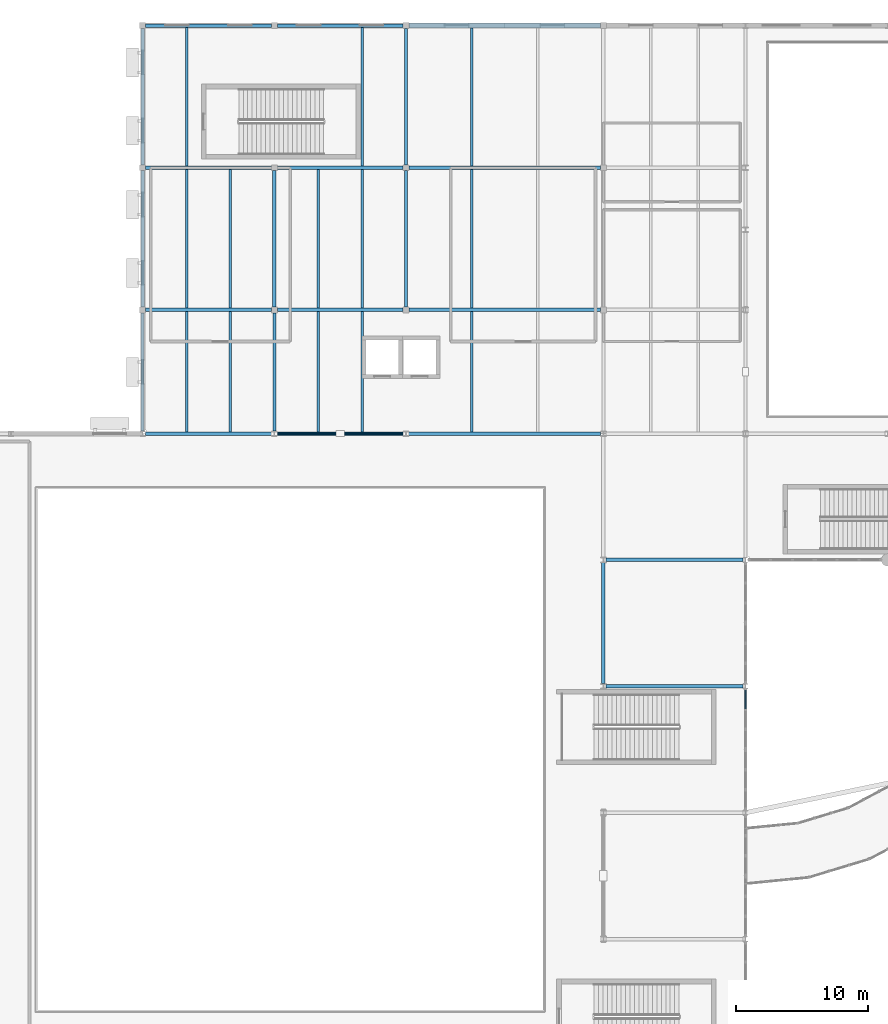
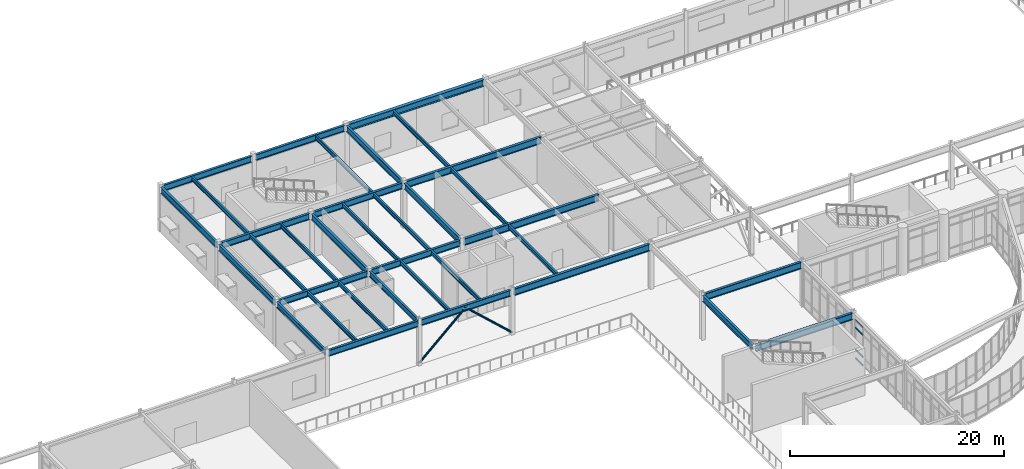
# One storey, part 23 of 72: 35 beams, 6 members, 1 element without a shape of its own.
"""IFC4 building model written with IfcOpenShell, lengths in metres."""

import ifcopenshell
import ifcopenshell.guid

model = None  # the IFC model being written
_history = None  # IfcOwnerHistory: only IFC2X3 demands one
_inside = {}  # id of a spatial element -> (the spatial element, [elements in it])
_under = {}  # id of a project, library or spatial element -> (it, [spatial elements below it])
_declared = {}  # id of a project -> (the project, [libraries it declares])
_typed = {}  # id of a type object -> (the type object, [elements of that type])
_made_of = {}  # id of a material, layer set ... -> (it, [elements and type objects made of it])


def new_model(schema):
    """Start an empty IFC model of exactly this schema.

    Asked for "IFC4X3", IfcOpenShell would pick the latest addendum, in which some entities
    have other attributes; the version numbers below select the first issue.
    IFC2X3 requires an IfcOwnerHistory on every rooted entity: one is made here for all.
    """
    global model, _history
    if schema == "IFC4X3":
        model = ifcopenshell.file(schema_version=(4, 3, 0, 0))
    else:
        model = ifcopenshell.file(schema=schema)
    _inside.clear()
    _under.clear()
    _declared.clear()
    _typed.clear()
    _made_of.clear()
    _history = None
    if model.schema == "IFC2X3":
        org = make("IfcOrganization", Name="unknown")
        user = make(
            "IfcPersonAndOrganization",
            ThePerson=make("IfcPerson", FamilyName="unknown"),
            TheOrganization=org,
        )
        app = make(
            "IfcApplication",
            ApplicationDeveloper=org,
            Version="unknown",
            ApplicationFullName="unknown",
            ApplicationIdentifier="unknown",
        )
        _history = make(
            "IfcOwnerHistory",
            OwningUser=user,
            OwningApplication=app,
            ChangeAction="ADDED",
            CreationDate=0,
        )
    return model


def make(cls, **values):
    """One entity of the class cls with the attributes given. An attribute that is None is left unset."""
    return model.create_entity(
        cls, **{name: value for name, value in values.items() if value is not None}
    )


def rooted(cls, **values):
    """An entity with a GlobalId (a new one), such as an element, a storey or a relation."""
    return make(cls, GlobalId=ifcopenshell.guid.new(), OwnerHistory=_history, **values)


def si_unit(unit_type, name, prefix=None):
    """IfcSIUnit, for example si_unit("LENGTHUNIT", "METRE", prefix="MILLI")."""
    return make("IfcSIUnit", UnitType=unit_type, Prefix=prefix, Name=name)


def assignment(units):
    """IfcUnitAssignment: the units of a project."""
    return None if units is None else make("IfcUnitAssignment", Units=units)


def point(xyz):
    """IfcCartesianPoint."""
    return None if xyz is None else make("IfcCartesianPoint", Coordinates=xyz)


def direction(xyz):
    """IfcDirection."""
    return None if xyz is None else make("IfcDirection", DirectionRatios=xyz)


def frame(location, z_axis=None, x_axis=None):
    """IfcAxis2Placement3D, a coordinate frame: its origin and axes. An axis left out is left unset."""
    return make(
        "IfcAxis2Placement3D",
        Location=point(location),
        Axis=direction(z_axis),
        RefDirection=direction(x_axis),
    )


def frame_2d(location, x_axis=None):
    """IfcAxis2Placement2D, a coordinate frame in the plane: its origin and x axis."""
    return make(
        "IfcAxis2Placement2D", Location=point(location), RefDirection=direction(x_axis)
    )


def origin():
    """The frame at (0, 0, 0) with its axes left unset."""
    return frame((0.0, 0.0, 0.0))


def origin_2d():
    """The frame at (0, 0) in the plane with its x axis left unset."""
    return frame_2d((0.0, 0.0))


def place(relative_to, where):
    """IfcLocalPlacement: puts the frame where relative to a parent placement (None: the world)."""
    return make(
        "IfcLocalPlacement", PlacementRelTo=relative_to, RelativePlacement=where
    )


def context(
    kind, dimensions, precision=None, world=None, true_north=None, identifier=None
):
    """IfcGeometricRepresentationContext, for example the 3D "Model" context."""
    return make(
        "IfcGeometricRepresentationContext",
        ContextIdentifier=identifier,
        ContextType=kind,
        CoordinateSpaceDimension=dimensions,
        Precision=precision,
        WorldCoordinateSystem=world,
        TrueNorth=true_north,
    )


def subcontext(parent, identifier, kind, view, scale=None):
    """IfcGeometricRepresentationSubContext, for example "Body" below "Model"."""
    return make(
        "IfcGeometricRepresentationSubContext",
        ContextIdentifier=identifier,
        ContextType=kind,
        ParentContext=parent,
        TargetScale=scale,
        TargetView=view,
    )


def project(units=None, contexts=None):
    """IfcProject with its units and contexts."""
    return rooted(
        "IfcProject",
        Name="project",
        RepresentationContexts=contexts,
        UnitsInContext=assignment(units),
    )


def spatial(cls, under=None, at=None, **own):
    """A site, building, storey or space (cls), placed at a placement, below another one or the project."""
    s = rooted(cls, ObjectPlacement=at, **own)
    if under is not None:
        _under.setdefault(under.id(), (under, []))[1].append(s)
    return s


def profile(cls, at=None, kind="AREA", **sizes):
    """A parametric profile (cls). Its sizes go by their IFC names, for example OverallWidth=200.0."""
    return make(cls, ProfileType=kind, Position=at, **sizes)


def rectangle(**sizes):
    """IfcRectangleProfileDef."""
    return profile("IfcRectangleProfileDef", **sizes)


def hollow_circle(**sizes):
    """IfcCircleHollowProfileDef."""
    return profile("IfcCircleHollowProfileDef", **sizes)


def i_section(**sizes):
    """IfcIShapeProfileDef."""
    return profile("IfcIShapeProfileDef", **sizes)


def extrude(swept, where, along, depth):
    """IfcExtrudedAreaSolid: the profile swept, set in the frame where, extruded along a direction by depth."""
    return make(
        "IfcExtrudedAreaSolid",
        SweptArea=swept,
        Position=where,
        ExtrudedDirection=direction(along),
        Depth=depth,
    )


def shape(context_of_items, identifier, shape_type, items):
    """IfcShapeRepresentation: the items that make up one representation, for example the "Body"."""
    return make(
        "IfcShapeRepresentation",
        ContextOfItems=context_of_items,
        RepresentationIdentifier=identifier,
        RepresentationType=shape_type,
        Items=items,
    )


def material(Name=None, Category=None):
    """IfcMaterial."""
    return make("IfcMaterial", Name=Name, Category=Category)


def material_profile(
    of_material, cross_section, Name=None, Category=None, Priority=None
):
    """IfcMaterialProfile: a cross section and its material."""
    return make(
        "IfcMaterialProfile",
        Name=Name,
        Material=of_material,
        Profile=cross_section,
        Priority=Priority,
        Category=Category,
    )


def profile_set(profiles, Name=None, composite=None):
    """IfcMaterialProfileSet."""
    return make(
        "IfcMaterialProfileSet",
        Name=Name,
        MaterialProfiles=profiles,
        CompositeProfile=composite,
    )


def made_of(thing, what):
    """Note that an element or type object is made of a material, layer set ...; save() writes the relation."""
    if what is not None:
        _made_of.setdefault(what.id(), (what, []))[1].append(thing)
    return thing


def type_object(cls, material=None, **own):
    """A type object (cls), such as IfcWallType, which elements share."""
    return made_of(rooted(cls, **own), material)


def element(
    cls,
    number,
    at=None,
    inside=None,
    cuts=None,
    type_object=None,
    material=None,
    context=None,
    identifier="Body",
    shape_type=None,
    held_by="IfcProductDefinitionShape",
    body=None,
    shapes=None,
    **own,
):
    """One element of the class cls, such as IfcWall. Its Tag is "e" and its number.

    at: its placement. inside: the storey or other place that contains it. cuts: it is an
    opening in that element (IfcRelVoidsElement). A single representation is given by context,
    identifier, shape_type and body (its items); several are given by shapes. held_by: the class
    of the entity that holds the representations. save() writes the other relations.
    """
    e = rooted(cls, Tag="e%d" % number, ObjectPlacement=at, **own)
    if body is not None:
        shapes = [shape(context, identifier, shape_type, body)]
    if shapes is not None:
        e.Representation = make(held_by, Representations=shapes)
    if inside is not None:
        _inside.setdefault(inside.id(), (inside, []))[1].append(e)
    if cuts is not None:
        rooted(
            "IfcRelVoidsElement", RelatingBuildingElement=cuts, RelatedOpeningElement=e
        )
    if type_object is not None:
        _typed.setdefault(type_object.id(), (type_object, []))[1].append(e)
    return made_of(e, material)


def aggregate(whole, parts):
    """IfcRelAggregates: a whole, such as a stair, and the parts it consists of."""
    return rooted("IfcRelAggregates", RelatingObject=whole, RelatedObjects=parts)


def save(model, path):
    """Write the relations noted so far, then the file.

    IfcRelAggregates (storeys below a building ...), IfcRelContainedInSpatialStructure (elements
    in a storey), IfcRelDefinesByType, IfcRelAssociatesMaterial and IfcRelDeclares: one each for
    every whole, place, type object, material and project.
    """
    for whole, parts in _under.values():
        aggregate(whole, parts)
    for where, things in _inside.values():
        rooted(
            "IfcRelContainedInSpatialStructure",
            RelatedElements=things,
            RelatingStructure=where,
        )
    for kind, things in _typed.values():
        rooted("IfcRelDefinesByType", RelatedObjects=things, RelatingType=kind)
    for what, things in _made_of.values():
        rooted("IfcRelAssociatesMaterial", RelatedObjects=things, RelatingMaterial=what)
    for by, libraries in _declared.values():
        rooted("IfcRelDeclares", RelatingContext=by, RelatedDefinitions=libraries)
    model.write(path)


model = new_model("IFC4")

# Units and contexts
model_context = context("Model", 3, precision=1e-05, world=origin(), true_north=direction((0.0, 1.0)))
body_context = subcontext(model_context, "Body", "Model", "MODEL_VIEW")
ifc_project = project(units=[si_unit("LENGTHUNIT", "METRE"), si_unit("AREAUNIT", "SQUARE_METRE"), si_unit("VOLUMEUNIT", "CUBIC_METRE"), si_unit("PLANEANGLEUNIT", "RADIAN"), si_unit("MASSUNIT", "GRAM", prefix="KILO")], contexts=[model_context])

# Site, building, storey
site_placement = place(None, origin())
site = spatial("IfcSite", under=ifc_project, at=site_placement, CompositionType="ELEMENT")
building_placement = place(site_placement, origin())
building = spatial("IfcBuilding", under=site, at=building_placement, Name="Veldera Park Congress Hotel", CompositionType="ELEMENT")
storey_placement = place(building_placement, frame((0.0, 0.0, 5.39990234375)))
storey = spatial("IfcBuildingStorey", under=building, at=storey_placement, Name="L01", CompositionType="ELEMENT", Elevation=5.39990234375)

# Beams
ifc_material_1 = material(Name="Steel ASTM A992 Gr.50", Category="steel")
ifc_material_profile_1 = material_profile(ifc_material_1, i_section(OverallWidth=0.22998046875, OverallDepth=0.616943359375, WebThickness=0.01318359375, FlangeThickness=0.022216796875, at=origin_2d()), Name="W24X94")
ifc_profile_set_1 = profile_set([ifc_material_profile_1], Name="Steel ASTM A992 Gr.50")
beam_type_1 = type_object("IfcBeamType", Name="BM-W24B", PredefinedType="BEAM", material=ifc_profile_set_1)
for number, where, z_axis, x_axis, name in (
    (1, (-47.39990234375, 27.1904296875, 4.821533203125), (0.0, 1.0, 0.0), (-1.0, 0.0, 0.0), "L01 Girder BM-W24B 684"),
    (2, (-37.39990234375, 27.1904296875, 4.821533203125), (0.0, 1.0, 0.0), (-1.0, 0.0, 0.0), "L01 Girder BM-W24B 690"),
):
    element("IfcBeam", number, at=place(storey_placement, frame(where, z_axis=z_axis, x_axis=x_axis)), inside=storey, type_object=beam_type_1, Name=name, PredefinedType="BEAM", context=body_context, shape_type="SweptSolid", body=[
        extrude(i_section(OverallWidth=0.22998046875, OverallDepth=0.616943359375, WebThickness=0.01318359375, FlangeThickness=0.022216796875, at=origin_2d()), origin(), (0.0, 0.0, 1.0), 8.984619140625),
    ])
ifc_material_profile_2 = material_profile(ifc_material_1, i_section(OverallWidth=0.256103515625, OverallDepth=0.693115234375, WebThickness=0.014404296875, FlangeThickness=0.023681640625, at=origin_2d()), Name="W27X114")
ifc_profile_set_2 = profile_set([ifc_material_profile_2], Name="Steel ASTM A992 Gr.50")
beam_type_2 = type_object("IfcBeamType", Name="BM-W27", PredefinedType="BEAM", material=ifc_profile_set_2)
beam_1_placement = place(storey_placement, frame((-47.39990234375, 36.625, 4.78369140625), z_axis=(0.0, 1.0, 0.0), x_axis=(-1.0, 0.0, 0.0)))
element("IfcBeam", 3, at=beam_1_placement, inside=storey, type_object=beam_type_2, Name="L01 Girder BM-W27 685", PredefinedType="BEAM", context=body_context, shape_type="SweptSolid", body=[
    extrude(i_section(OverallWidth=0.256103515625, OverallDepth=0.693115234375, WebThickness=0.014404296875, FlangeThickness=0.023681640625, at=origin_2d()), origin(), (0.0, 0.0, 1.0), 10.35009765625),
])
beam_2_placement = place(storey_placement, frame((-47.39990234375, 47.425048828125, 4.78369140625), z_axis=(0.0, 1.0, 0.0), x_axis=(-1.0, 0.0, 0.0)))
element("IfcBeam", 4, at=beam_2_placement, inside=storey, type_object=beam_type_2, Name="L01 Girder BM-W27 686", PredefinedType="BEAM", context=body_context, shape_type="SweptSolid", body=[
    extrude(i_section(OverallWidth=0.256103515625, OverallDepth=0.693115234375, WebThickness=0.014404296875, FlangeThickness=0.023681640625, at=origin_2d()), origin(), (0.0, 0.0, 1.0), 10.349853515625),
])
for number, where, z_axis, x_axis, name in (
    (5, (-37.39990234375, 36.625, 4.78369140625), (0.0, 1.0, 0.0), (-1.0, 0.0, 0.0), "L01 Girder BM-W27 691"),
    (6, (-27.39990234375, 36.625, 4.78369140625), (0.0, 1.0, 0.0), (-1.0, 0.0, 0.0), "L01 Girder BM-W27 692"),
):
    element("IfcBeam", number, at=place(storey_placement, frame(where, z_axis=z_axis, x_axis=x_axis)), inside=storey, type_object=beam_type_2, Name=name, PredefinedType="BEAM", context=body_context, shape_type="SweptSolid", body=[
        extrude(i_section(OverallWidth=0.256103515625, OverallDepth=0.693115234375, WebThickness=0.014404296875, FlangeThickness=0.023681640625, at=origin_2d()), origin(), (0.0, 0.0, 1.0), 10.35009765625),
    ])
beam_3_placement = place(storey_placement, frame((-27.39990234375, 47.425048828125, 4.78369140625), z_axis=(0.0, 1.0, 0.0), x_axis=(-1.0, 0.0, 0.0)))
element("IfcBeam", 7, at=beam_3_placement, inside=storey, type_object=beam_type_2, Name="L01 Girder BM-W27 693", PredefinedType="BEAM", context=body_context, shape_type="SweptSolid", body=[
    extrude(i_section(OverallWidth=0.256103515625, OverallDepth=0.693115234375, WebThickness=0.014404296875, FlangeThickness=0.023681640625, at=origin_2d()), origin(), (0.0, 0.0, 1.0), 10.349853515625),
])
beam_4_placement = place(storey_placement, frame((-12.39990234375, 7.99951171875, 4.78369140625), z_axis=(0.0, 1.0, 0.0), x_axis=(-1.0, 0.0, 0.0)))
element("IfcBeam", 8, at=beam_4_placement, inside=storey, type_object=beam_type_2, Name="L01 Girder BM-W27 695", PredefinedType="BEAM", context=body_context, shape_type="SweptSolid", body=[
    extrude(i_section(OverallWidth=0.256103515625, OverallDepth=0.693115234375, WebThickness=0.014404296875, FlangeThickness=0.023681640625, at=origin_2d()), origin(), (0.0, 0.0, 1.0), 9.200927734375),
])
ifc_material_profile_3 = material_profile(ifc_material_1, i_section(OverallWidth=0.25390625, OverallDepth=0.700927734375, WebThickness=0.015380859375, FlangeThickness=0.02783203125, at=origin_2d()), Name="W27X129")
ifc_profile_set_3 = profile_set([ifc_material_profile_3], Name="Steel ASTM A992 Gr.50")
beam_type_3 = type_object("IfcBeamType", Name="BM-W27B", PredefinedType="BEAM", material=ifc_profile_set_3)
for number, where, z_axis, x_axis, name in (
    (9, (-47.201904296875, 27.0, 4.779541015625), (1.0, 0.0, 0.0), (0.0, 1.0, 0.0), "L01 Girder BM-W27B 613"),
    (10, (-37.201904296875, 27.0, 4.779541015625), (1.0, 0.0, 0.0), (0.0, 1.0, 0.0), "L01 Girder BM-W27B 614"),
):
    element("IfcBeam", number, at=place(storey_placement, frame(where, z_axis=z_axis, x_axis=x_axis)), inside=storey, type_object=beam_type_3, Name=name, PredefinedType="BEAM", context=body_context, shape_type="SweptSolid", body=[
        extrude(i_section(OverallWidth=0.25390625, OverallDepth=0.700927734375, WebThickness=0.015380859375, FlangeThickness=0.02783203125, at=origin_2d()), origin(), (0.0, 0.0, 1.0), 9.60400390625),
    ])
for number, where, z_axis, x_axis, name in (
    (11, (-47.175048828125, 36.39990234375, 4.779541015625), (1.0, 0.0, 0.0), (0.0, 1.0, 0.0), "L01 Girder BM-W27B 627"),
    (12, (-37.175048828125, 36.39990234375, 4.779541015625), (1.0, 0.0, 0.0), (0.0, 1.0, 0.0), "L01 Girder BM-W27B 628"),
    (13, (-47.175048828125, 47.199951171875, 4.779541015625), (1.0, 0.0, 0.0), (0.0, 1.0, 0.0), "L01 Girder BM-W27B 637"),
    (14, (-37.175048828125, 47.199951171875, 4.779541015625), (1.0, 0.0, 0.0), (0.0, 1.0, 0.0), "L01 Girder BM-W27B 638"),
):
    element("IfcBeam", number, at=place(storey_placement, frame(where, z_axis=z_axis, x_axis=x_axis)), inside=storey, type_object=beam_type_3, Name=name, PredefinedType="BEAM", context=body_context, shape_type="SweptSolid", body=[
        extrude(i_section(OverallWidth=0.25390625, OverallDepth=0.700927734375, WebThickness=0.015380859375, FlangeThickness=0.02783203125, at=origin_2d()), origin(), (0.0, 0.0, 1.0), 9.550048828125),
    ])
ifc_material_profile_4 = material_profile(ifc_material_1, i_section(OverallWidth=0.25390625, OverallDepth=0.700927734375, WebThickness=0.015380859375, FlangeThickness=0.02783203125, at=origin_2d()), Name="W27X129")
ifc_profile_set_4 = profile_set([ifc_material_profile_4], Name="Steel ASTM A992 Gr.50")
beam_type_4 = type_object("IfcBeamType", Name="BM-W27BE", PredefinedType="BEAM", material=ifc_profile_set_4)
for number, where, z_axis, x_axis, name in (
    (15, (-47.175048828125, 58.0, 4.779541015625), (1.0, 0.0, 0.0), (0.0, 1.0, 0.0), "L01 Girder BM-W27BE 645"),
    (16, (-37.175048828125, 58.0, 4.779541015625), (1.0, 0.0, 0.0), (0.0, 1.0, 0.0), "L01 Girder BM-W27BE 646"),
):
    element("IfcBeam", number, at=place(storey_placement, frame(where, z_axis=z_axis, x_axis=x_axis)), inside=storey, type_object=beam_type_4, Name=name, PredefinedType="BEAM", context=body_context, shape_type="SweptSolid", body=[
        extrude(i_section(OverallWidth=0.25390625, OverallDepth=0.700927734375, WebThickness=0.015380859375, FlangeThickness=0.02783203125, at=origin_2d()), origin(), (0.0, 0.0, 1.0), 9.550048828125),
    ])
ifc_material_profile_5 = material_profile(ifc_material_1, i_section(OverallWidth=0.26708984375, OverallDepth=0.779052734375, WebThickness=0.0166015625, FlangeThickness=0.030029296875, at=origin_2d()), Name="W30X148")
ifc_profile_set_5 = profile_set([ifc_material_profile_5], Name="Steel ASTM A992 Gr.50")
beam_type_5 = type_object("IfcBeamType", Name="BM-W30", PredefinedType="BEAM", material=ifc_profile_set_5)
for number, where, z_axis, x_axis, name in (
    (17, (-12.199462890625, 7.800048828125, 4.740478515625), (1.0, 0.0, 0.0), (0.0, 1.0, 0.0), "L01 Girder BM-W30 592"),
    (18, (-12.199462890625, 17.39990234375, 4.740478515625), (1.0, 0.0, 0.0), (0.0, 1.0, 0.0), "L01 Girder BM-W30 598"),
):
    element("IfcBeam", number, at=place(storey_placement, frame(where, z_axis=z_axis, x_axis=x_axis)), inside=storey, type_object=beam_type_5, Name=name, PredefinedType="BEAM", context=body_context, shape_type="SweptSolid", body=[
        extrude(i_section(OverallWidth=0.26708984375, OverallDepth=0.779052734375, WebThickness=0.0166015625, FlangeThickness=0.030029296875, at=origin_2d()), origin(), (0.0, 0.0, 1.0), 10.412353515625),
    ])
beam_5_placement = place(storey_placement, frame((-27.201904296875, 27.0, 4.740478515625), z_axis=(1.0, 0.0, 0.0), x_axis=(0.0, 1.0, 0.0)))
element("IfcBeam", 19, at=beam_5_placement, inside=storey, type_object=beam_type_5, Name="L01 Girder BM-W30 615", PredefinedType="BEAM", context=body_context, shape_type="SweptSolid", body=[
    extrude(i_section(OverallWidth=0.26708984375, OverallDepth=0.779052734375, WebThickness=0.0166015625, FlangeThickness=0.030029296875, at=origin_2d()), origin(), (0.0, 0.0, 1.0), 14.601318359375),
])
for number, where, z_axis, x_axis, name in (
    (20, (-27.175048828125, 36.39990234375, 4.740478515625), (1.0, 0.0, 0.0), (0.0, 1.0, 0.0), "L01 Girder BM-W30 629"),
    (21, (-27.175048828125, 47.199951171875, 4.740478515625), (1.0, 0.0, 0.0), (0.0, 1.0, 0.0), "L01 Girder BM-W30 639"),
):
    element("IfcBeam", number, at=place(storey_placement, frame(where, z_axis=z_axis, x_axis=x_axis)), inside=storey, type_object=beam_type_5, Name=name, PredefinedType="BEAM", context=body_context, shape_type="SweptSolid", body=[
        extrude(i_section(OverallWidth=0.26708984375, OverallDepth=0.779052734375, WebThickness=0.0166015625, FlangeThickness=0.030029296875, at=origin_2d()), origin(), (0.0, 0.0, 1.0), 14.550048828125),
    ])
ifc_material_profile_6 = material_profile(ifc_material_1, i_section(OverallWidth=0.382080078125, OverallDepth=0.779052734375, WebThickness=0.01806640625, FlangeThickness=0.030029296875, at=origin_2d()), Name="W30X191")
ifc_profile_set_6 = profile_set([ifc_material_profile_6], Name="Steel ASTM A992 Gr.50")
beam_type_6 = type_object("IfcBeamType", Name="BM-W30E", PredefinedType="BEAM", material=ifc_profile_set_6)
beam_6_placement = place(storey_placement, frame((-27.175048828125, 58.0, 4.740478515625), z_axis=(1.0, 0.0, 0.0), x_axis=(0.0, 1.0, 0.0)))
element("IfcBeam", 22, at=beam_6_placement, inside=storey, type_object=beam_type_6, Name="L01 Girder BM-W30E 647", PredefinedType="BEAM", context=body_context, shape_type="SweptSolid", body=[
    extrude(i_section(OverallWidth=0.382080078125, OverallDepth=0.779052734375, WebThickness=0.01806640625, FlangeThickness=0.030029296875, at=origin_2d()), origin(), (0.0, 0.0, 1.0), 14.550048828125),
])

# Members
ifc_material_2 = material(Name="Steel ASTM A500 Gr.C", Category="steel")
ifc_material_profile_7 = material_profile(ifc_material_2, hollow_circle(Radius=0.109619140625, WallThickness=0.010009765625, at=origin_2d()), Name="CHS 219.1x10")
ifc_profile_set_7 = profile_set([ifc_material_profile_7], Name="Steel ASTM A500 Gr.C")
member_type_1 = type_object("IfcMemberType", Name="BRC-CHS219", PredefinedType="BRACE", material=ifc_profile_set_7)
for number, where, z_axis, x_axis, name in (
    (23, (-37.39990234375, 27.0, 0.2001953125), (0.737447027842, 0.0, 0.675404975646), (0.0, 1.0, 0.0), "L01 Chevron Brace 12A"),
    (24, (-27.39990234375, 27.0, 0.2001953125), (-0.737447027842, 0.0, 0.675404975646), (0.0, -1.0, 0.0), "L01 Chevron Brace 12B"),
):
    element("IfcMember", number, at=place(storey_placement, frame(where, z_axis=z_axis, x_axis=x_axis)), inside=storey, type_object=member_type_1, Name=name, PredefinedType="BRACE", context=body_context, shape_type="SweptSolid", body=[
        extrude(hollow_circle(Radius=0.109619140625, WallThickness=0.010009765625, at=origin_2d()), origin(), (0.0, 0.0, 1.0), 6.780029296875),
    ])

# Curtain wall, members
ifc_material_3 = material(Name="Low-E Triple Insulating Glass Unit (SHGC 0.22)", Category="glass")
curtain_wall_type = type_object("IfcCurtainWallType", Name="CW-POD", PredefinedType="NOTDEFINED", material=ifc_material_3)
curtain_wall_placement = place(storey_placement, origin())
curtain_wall = element("IfcCurtainWall", 25, at=curtain_wall_placement, inside=storey, type_object=curtain_wall_type, Name="L01 Curtain Wall CW3-V1E-L01-026", PredefinedType="NOTDEFINED")
ifc_material_4 = material(Name="Anodised Aluminium Alloy 6063-T6", Category="aluminium")
ifc_material_profile_8 = material_profile(ifc_material_4, rectangle(XDim=0.080078125, YDim=0.179931640625, at=origin_2d()), Name="ALU 80x180")
ifc_profile_set_8 = profile_set([ifc_material_profile_8], Name="Anodised Aluminium Alloy 6063-T6")
member_type_2 = type_object("IfcMemberType", Name="CWT-180", PredefinedType="USERDEFINED", material=ifc_profile_set_8)
member_1_placement = place(storey_placement, frame((-1.60009765625, 6.09423828125, 0.0400390625), z_axis=(0.0, 1.0, 0.0), x_axis=(-1.0, 0.0, 0.0)))
member_1 = element("IfcMember", 26, at=member_1_placement, type_object=member_type_2, Name="CW-POD transom 3.1", ObjectType="TRANSOM", PredefinedType="USERDEFINED", context=body_context, shape_type="SweptSolid", body=[
    extrude(rectangle(XDim=0.080078125, YDim=0.179931640625, at=origin_2d()), origin(), (0.0, 0.0, 1.0), 1.399658203125),
])
member_2_placement = place(storey_placement, frame((-1.60009765625, 6.09423828125, 1.0), z_axis=(0.0, 1.0, 0.0), x_axis=(-1.0, 0.0, 0.0)))
member_2 = element("IfcMember", 27, at=member_2_placement, type_object=member_type_2, Name="CW-POD transom 3.2", ObjectType="TRANSOM", PredefinedType="USERDEFINED", context=body_context, shape_type="SweptSolid", body=[
    extrude(rectangle(XDim=0.080078125, YDim=0.179931640625, at=origin_2d()), origin(), (0.0, 0.0, 1.0), 1.399658203125),
])
member_3_placement = place(storey_placement, frame((-1.60009765625, 6.09423828125, 3.531982421875), z_axis=(0.0, 1.0, 0.0), x_axis=(-1.0, 0.0, 0.0)))
member_3 = element("IfcMember", 28, at=member_3_placement, type_object=member_type_2, Name="CW-POD transom 3.3", ObjectType="TRANSOM", PredefinedType="USERDEFINED", context=body_context, shape_type="SweptSolid", body=[
    extrude(rectangle(XDim=0.080078125, YDim=0.179931640625, at=origin_2d()), origin(), (0.0, 0.0, 1.0), 1.399658203125),
])
member_4_placement = place(storey_placement, frame((-1.60009765625, 6.09423828125, 4.39208984375), z_axis=(0.0, 1.0, 0.0), x_axis=(-1.0, 0.0, 0.0)))
member_4 = element("IfcMember", 29, at=member_4_placement, type_object=member_type_2, Name="CW-POD transom 3.4", ObjectType="TRANSOM", PredefinedType="USERDEFINED", context=body_context, shape_type="SweptSolid", body=[
    extrude(rectangle(XDim=0.080078125, YDim=0.179931640625, at=origin_2d()), origin(), (0.0, 0.0, 1.0), 1.399658203125),
])
aggregate(curtain_wall, [member_1, member_2, member_3, member_4])

# Beams
ifc_material_profile_9 = material_profile(ifc_material_1, i_section(OverallWidth=0.19189453125, OverallDepth=0.462890625, WebThickness=0.010498046875, FlangeThickness=0.017578125, at=origin_2d()), Name="W18X60")
ifc_profile_set_9 = profile_set([ifc_material_profile_9], Name="Steel ASTM A992 Gr.50")
beam_type_7 = type_object("IfcBeamType", Name="JST-W18C", PredefinedType="JOIST", material=ifc_profile_set_9)
for number, where, z_axis, x_axis, name in (
    (30, (-44.066650390625, 27.126953125, 4.898681640625), (0.0, 1.0, 0.0), (-1.0, 0.0, 0.0), "L01 Floor Joist JST-W18C 781"),
    (31, (-40.7333984375, 27.126953125, 4.898681640625), (0.0, 1.0, 0.0), (-1.0, 0.0, 0.0), "L01 Floor Joist JST-W18C 782"),
    (32, (-34.066650390625, 27.126953125, 4.898681640625), (0.0, 1.0, 0.0), (-1.0, 0.0, 0.0), "L01 Floor Joist JST-W18C 783"),
    (33, (-30.7333984375, 27.126953125, 4.898681640625), (0.0, 1.0, 0.0), (-1.0, 0.0, 0.0), "L01 Floor Joist JST-W18C 784"),
):
    element("IfcBeam", number, at=place(storey_placement, frame(where, z_axis=z_axis, x_axis=x_axis)), inside=storey, type_object=beam_type_7, Name=name, PredefinedType="JOIST", context=body_context, shape_type="SweptSolid", body=[
        extrude(i_section(OverallWidth=0.19189453125, OverallDepth=0.462890625, WebThickness=0.010498046875, FlangeThickness=0.017578125, at=origin_2d()), origin(), (0.0, 0.0, 1.0), 9.14599609375),
    ])
beam_7_placement = place(storey_placement, frame((-22.39990234375, 27.133544921875, 4.898681640625), z_axis=(0.0, 1.0, 0.0), x_axis=(-1.0, 0.0, 0.0)))
element("IfcBeam", 34, at=beam_7_placement, inside=storey, type_object=beam_type_7, Name="L01 Floor Joist JST-W18C 785", PredefinedType="JOIST", context=body_context, shape_type="SweptSolid", body=[
    extrude(i_section(OverallWidth=0.19189453125, OverallDepth=0.462890625, WebThickness=0.010498046875, FlangeThickness=0.017578125, at=origin_2d()), origin(), (0.0, 0.0, 1.0), 9.133056640625),
])
for number, where, z_axis, x_axis, name in (
    (35, (-44.066650390625, 36.527099609375, 4.898681640625), (0.0, 1.0, 0.0), (-1.0, 0.0, 0.0), "L01 Floor Joist JST-W18C 796"),
    (36, (-40.7333984375, 36.527099609375, 4.898681640625), (0.0, 1.0, 0.0), (-1.0, 0.0, 0.0), "L01 Floor Joist JST-W18C 797"),
    (37, (-34.066650390625, 36.527099609375, 4.898681640625), (0.0, 1.0, 0.0), (-1.0, 0.0, 0.0), "L01 Floor Joist JST-W18C 798"),
    (38, (-30.7333984375, 36.527099609375, 4.898681640625), (0.0, 1.0, 0.0), (-1.0, 0.0, 0.0), "L01 Floor Joist JST-W18C 799"),
):
    element("IfcBeam", number, at=place(storey_placement, frame(where, z_axis=z_axis, x_axis=x_axis)), inside=storey, type_object=beam_type_7, Name=name, PredefinedType="JOIST", context=body_context, shape_type="SweptSolid", body=[
        extrude(i_section(OverallWidth=0.19189453125, OverallDepth=0.462890625, WebThickness=0.010498046875, FlangeThickness=0.017578125, at=origin_2d()), origin(), (0.0, 0.0, 1.0), 10.5458984375),
    ])
beam_8_placement = place(storey_placement, frame((-22.39990234375, 36.533447265625, 4.898681640625), z_axis=(0.0, 1.0, 0.0), x_axis=(-1.0, 0.0, 0.0)))
element("IfcBeam", 39, at=beam_8_placement, inside=storey, type_object=beam_type_7, Name="L01 Floor Joist JST-W18C 800", PredefinedType="JOIST", context=body_context, shape_type="SweptSolid", body=[
    extrude(i_section(OverallWidth=0.19189453125, OverallDepth=0.462890625, WebThickness=0.010498046875, FlangeThickness=0.017578125, at=origin_2d()), origin(), (0.0, 0.0, 1.0), 10.532958984375),
])
for number, where, z_axis, x_axis, name in (
    (40, (-44.066650390625, 47.326904296875, 4.898681640625), (0.0, 1.0, 0.0), (-1.0, 0.0, 0.0), "L01 Floor Joist JST-W18C 808"),
    (41, (-30.7333984375, 47.326904296875, 4.898681640625), (0.0, 1.0, 0.0), (-1.0, 0.0, 0.0), "L01 Floor Joist JST-W18C 809"),
):
    element("IfcBeam", number, at=place(storey_placement, frame(where, z_axis=z_axis, x_axis=x_axis)), inside=storey, type_object=beam_type_7, Name=name, PredefinedType="JOIST", context=body_context, shape_type="SweptSolid", body=[
        extrude(i_section(OverallWidth=0.19189453125, OverallDepth=0.462890625, WebThickness=0.010498046875, FlangeThickness=0.017578125, at=origin_2d()), origin(), (0.0, 0.0, 1.0), 10.546142578125),
    ])
beam_9_placement = place(storey_placement, frame((-22.39990234375, 47.33349609375, 4.898681640625), z_axis=(0.0, 1.0, 0.0), x_axis=(-1.0, 0.0, 0.0)))
element("IfcBeam", 42, at=beam_9_placement, inside=storey, type_object=beam_type_7, Name="L01 Floor Joist JST-W18C 810", PredefinedType="JOIST", context=body_context, shape_type="SweptSolid", body=[
    extrude(i_section(OverallWidth=0.19189453125, OverallDepth=0.462890625, WebThickness=0.010498046875, FlangeThickness=0.017578125, at=origin_2d()), origin(), (0.0, 0.0, 1.0), 10.4755859375),
])

save(model, "model.ifc")
